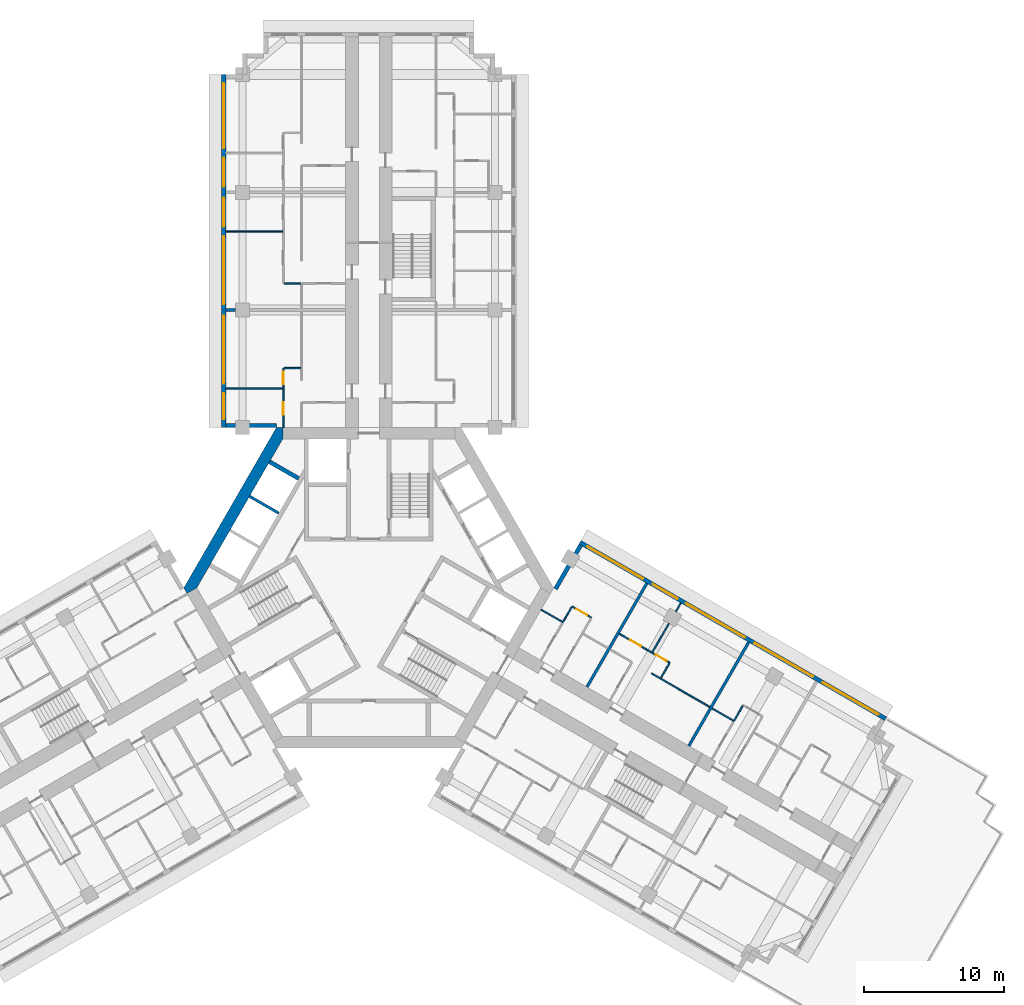
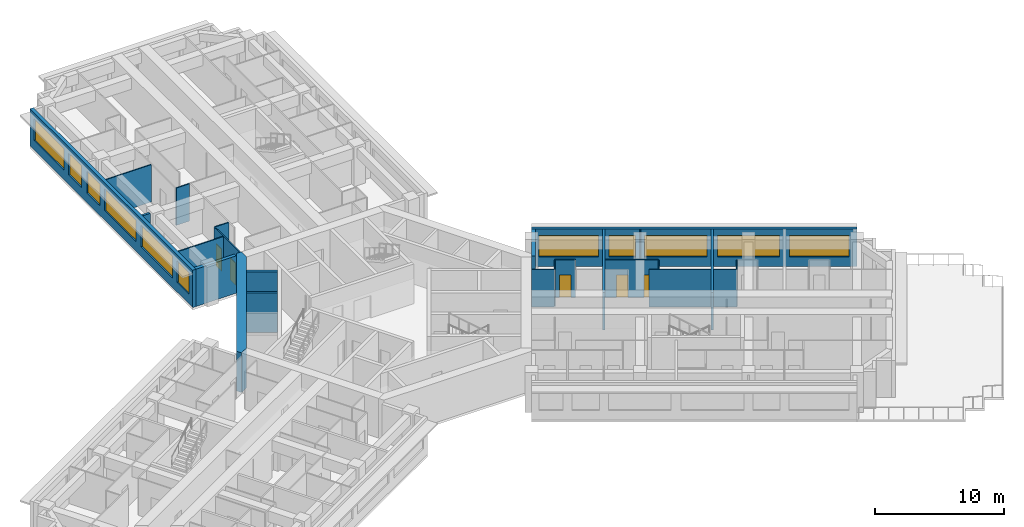
# One storey, part 8 of 14: 25 walls, 11 windows, 5 doors, 16 openings.
"""IFC4 building model written with IfcOpenShell, lengths in metres."""

import ifcopenshell
import ifcopenshell.guid

model = None  # the IFC model being written
_history = None  # IfcOwnerHistory: only IFC2X3 demands one
_inside = {}  # id of a spatial element -> (the spatial element, [elements in it])
_under = {}  # id of a project, library or spatial element -> (it, [spatial elements below it])
_declared = {}  # id of a project -> (the project, [libraries it declares])
_typed = {}  # id of a type object -> (the type object, [elements of that type])
_made_of = {}  # id of a material, layer set ... -> (it, [elements and type objects made of it])


def new_model(schema):
    """Start an empty IFC model of exactly this schema.

    Asked for "IFC4X3", IfcOpenShell would pick the latest addendum, in which some entities
    have other attributes; the version numbers below select the first issue.
    IFC2X3 requires an IfcOwnerHistory on every rooted entity: one is made here for all.
    """
    global model, _history
    if schema == "IFC4X3":
        model = ifcopenshell.file(schema_version=(4, 3, 0, 0))
    else:
        model = ifcopenshell.file(schema=schema)
    _inside.clear()
    _under.clear()
    _declared.clear()
    _typed.clear()
    _made_of.clear()
    _history = None
    if model.schema == "IFC2X3":
        org = make("IfcOrganization", Name="unknown")
        user = make(
            "IfcPersonAndOrganization",
            ThePerson=make("IfcPerson", FamilyName="unknown"),
            TheOrganization=org,
        )
        app = make(
            "IfcApplication",
            ApplicationDeveloper=org,
            Version="unknown",
            ApplicationFullName="unknown",
            ApplicationIdentifier="unknown",
        )
        _history = make(
            "IfcOwnerHistory",
            OwningUser=user,
            OwningApplication=app,
            ChangeAction="ADDED",
            CreationDate=0,
        )
    return model


def make(cls, **values):
    """One entity of the class cls with the attributes given. An attribute that is None is left unset."""
    return model.create_entity(
        cls, **{name: value for name, value in values.items() if value is not None}
    )


def rooted(cls, **values):
    """An entity with a GlobalId (a new one), such as an element, a storey or a relation."""
    return make(cls, GlobalId=ifcopenshell.guid.new(), OwnerHistory=_history, **values)


def si_unit(unit_type, name, prefix=None):
    """IfcSIUnit, for example si_unit("LENGTHUNIT", "METRE", prefix="MILLI")."""
    return make("IfcSIUnit", UnitType=unit_type, Prefix=prefix, Name=name)


def assignment(units):
    """IfcUnitAssignment: the units of a project."""
    return None if units is None else make("IfcUnitAssignment", Units=units)


def point(xyz):
    """IfcCartesianPoint."""
    return None if xyz is None else make("IfcCartesianPoint", Coordinates=xyz)


def direction(xyz):
    """IfcDirection."""
    return None if xyz is None else make("IfcDirection", DirectionRatios=xyz)


def frame(location, z_axis=None, x_axis=None):
    """IfcAxis2Placement3D, a coordinate frame: its origin and axes. An axis left out is left unset."""
    return make(
        "IfcAxis2Placement3D",
        Location=point(location),
        Axis=direction(z_axis),
        RefDirection=direction(x_axis),
    )


def frame_2d(location, x_axis=None):
    """IfcAxis2Placement2D, a coordinate frame in the plane: its origin and x axis."""
    return make(
        "IfcAxis2Placement2D", Location=point(location), RefDirection=direction(x_axis)
    )


def origin():
    """The frame at (0, 0, 0) with its axes left unset."""
    return frame((0.0, 0.0, 0.0))


def place(relative_to, where):
    """IfcLocalPlacement: puts the frame where relative to a parent placement (None: the world)."""
    return make(
        "IfcLocalPlacement", PlacementRelTo=relative_to, RelativePlacement=where
    )


def context(
    kind, dimensions, precision=None, world=None, true_north=None, identifier=None
):
    """IfcGeometricRepresentationContext, for example the 3D "Model" context."""
    return make(
        "IfcGeometricRepresentationContext",
        ContextIdentifier=identifier,
        ContextType=kind,
        CoordinateSpaceDimension=dimensions,
        Precision=precision,
        WorldCoordinateSystem=world,
        TrueNorth=true_north,
    )


def subcontext(parent, identifier, kind, view, scale=None):
    """IfcGeometricRepresentationSubContext, for example "Body" below "Model"."""
    return make(
        "IfcGeometricRepresentationSubContext",
        ContextIdentifier=identifier,
        ContextType=kind,
        ParentContext=parent,
        TargetScale=scale,
        TargetView=view,
    )


def project(units=None, contexts=None):
    """IfcProject with its units and contexts."""
    return rooted(
        "IfcProject",
        Name="project",
        RepresentationContexts=contexts,
        UnitsInContext=assignment(units),
    )


def spatial(cls, under=None, at=None, **own):
    """A site, building, storey or space (cls), placed at a placement, below another one or the project."""
    s = rooted(cls, ObjectPlacement=at, **own)
    if under is not None:
        _under.setdefault(under.id(), (under, []))[1].append(s)
    return s


def polyline(points):
    """IfcPolyline through the points."""
    return make("IfcPolyline", Points=[point(p) for p in points])


def profile(cls, at=None, kind="AREA", **sizes):
    """A parametric profile (cls). Its sizes go by their IFC names, for example OverallWidth=200.0."""
    return make(cls, ProfileType=kind, Position=at, **sizes)


def rectangle(**sizes):
    """IfcRectangleProfileDef."""
    return profile("IfcRectangleProfileDef", **sizes)


def outline(outer, holes=None, kind="AREA"):
    """IfcArbitraryClosedProfileDef: a profile drawn as a closed curve; with holes, ...WithVoids."""
    if holes is None:
        return make("IfcArbitraryClosedProfileDef", ProfileType=kind, OuterCurve=outer)
    return make(
        "IfcArbitraryProfileDefWithVoids",
        ProfileType=kind,
        OuterCurve=outer,
        InnerCurves=holes,
    )


def extrude(swept, where, along, depth):
    """IfcExtrudedAreaSolid: the profile swept, set in the frame where, extruded along a direction by depth."""
    return make(
        "IfcExtrudedAreaSolid",
        SweptArea=swept,
        Position=where,
        ExtrudedDirection=direction(along),
        Depth=depth,
    )


def shape(context_of_items, identifier, shape_type, items):
    """IfcShapeRepresentation: the items that make up one representation, for example the "Body"."""
    return make(
        "IfcShapeRepresentation",
        ContextOfItems=context_of_items,
        RepresentationIdentifier=identifier,
        RepresentationType=shape_type,
        Items=items,
    )


def material(Name=None, Category=None):
    """IfcMaterial."""
    return make("IfcMaterial", Name=Name, Category=Category)


def layer(
    of_material, thickness, ventilated=None, Name=None, Category=None, Priority=None
):
    """IfcMaterialLayer: one layer of a wall or slab, of a material (None: an air gap)."""
    return make(
        "IfcMaterialLayer",
        Material=of_material,
        LayerThickness=thickness,
        IsVentilated=ventilated,
        Name=Name,
        Category=Category,
        Priority=Priority,
    )


def layer_set(layers, Name=None):
    """IfcMaterialLayerSet."""
    return make("IfcMaterialLayerSet", MaterialLayers=layers, LayerSetName=Name)


def made_of(thing, what):
    """Note that an element or type object is made of a material, layer set ...; save() writes the relation."""
    if what is not None:
        _made_of.setdefault(what.id(), (what, []))[1].append(thing)
    return thing


def type_object(cls, material=None, **own):
    """A type object (cls), such as IfcWallType, which elements share."""
    return made_of(rooted(cls, **own), material)


def element(
    cls,
    number,
    at=None,
    inside=None,
    cuts=None,
    type_object=None,
    material=None,
    context=None,
    identifier="Body",
    shape_type=None,
    held_by="IfcProductDefinitionShape",
    body=None,
    shapes=None,
    **own,
):
    """One element of the class cls, such as IfcWall. Its Tag is "e" and its number.

    at: its placement. inside: the storey or other place that contains it. cuts: it is an
    opening in that element (IfcRelVoidsElement). A single representation is given by context,
    identifier, shape_type and body (its items); several are given by shapes. held_by: the class
    of the entity that holds the representations. save() writes the other relations.
    """
    e = rooted(cls, Tag="e%d" % number, ObjectPlacement=at, **own)
    if body is not None:
        shapes = [shape(context, identifier, shape_type, body)]
    if shapes is not None:
        e.Representation = make(held_by, Representations=shapes)
    if inside is not None:
        _inside.setdefault(inside.id(), (inside, []))[1].append(e)
    if cuts is not None:
        rooted(
            "IfcRelVoidsElement", RelatingBuildingElement=cuts, RelatedOpeningElement=e
        )
    if type_object is not None:
        _typed.setdefault(type_object.id(), (type_object, []))[1].append(e)
    return made_of(e, material)


def fill(opening, filler):
    """IfcRelFillsElement: the door or window that sits in an opening."""
    return rooted(
        "IfcRelFillsElement",
        RelatingOpeningElement=opening,
        RelatedBuildingElement=filler,
    )


def aggregate(whole, parts):
    """IfcRelAggregates: a whole, such as a stair, and the parts it consists of."""
    return rooted("IfcRelAggregates", RelatingObject=whole, RelatedObjects=parts)


def save(model, path):
    """Write the relations noted so far, then the file.

    IfcRelAggregates (storeys below a building ...), IfcRelContainedInSpatialStructure (elements
    in a storey), IfcRelDefinesByType, IfcRelAssociatesMaterial and IfcRelDeclares: one each for
    every whole, place, type object, material and project.
    """
    for whole, parts in _under.values():
        aggregate(whole, parts)
    for where, things in _inside.values():
        rooted(
            "IfcRelContainedInSpatialStructure",
            RelatedElements=things,
            RelatingStructure=where,
        )
    for kind, things in _typed.values():
        rooted("IfcRelDefinesByType", RelatedObjects=things, RelatingType=kind)
    for what, things in _made_of.values():
        rooted("IfcRelAssociatesMaterial", RelatedObjects=things, RelatingMaterial=what)
    for by, libraries in _declared.values():
        rooted("IfcRelDeclares", RelatingContext=by, RelatedDefinitions=libraries)
    model.write(path)


model = new_model("IFC4")

# Units and contexts
model_context = context("Model", 3, precision=1e-05, world=origin(), true_north=direction((0.0, 1.0)))
body_context = subcontext(model_context, "Body", "Model", "MODEL_VIEW")
ifc_project = project(units=[si_unit("LENGTHUNIT", "METRE"), si_unit("AREAUNIT", "SQUARE_METRE"), si_unit("VOLUMEUNIT", "CUBIC_METRE"), si_unit("PLANEANGLEUNIT", "RADIAN"), si_unit("MASSUNIT", "GRAM", prefix="KILO")], contexts=[model_context])

# Site, building, storey
site_placement = place(None, origin())
site = spatial("IfcSite", under=ifc_project, at=site_placement, CompositionType="ELEMENT")
building_placement = place(site_placement, origin())
building = spatial("IfcBuilding", under=site, at=building_placement, Name="Impinga Residences", CompositionType="ELEMENT")
storey_placement = place(building_placement, frame((0.0, 0.0, 158.5)))
storey = spatial("IfcBuildingStorey", under=building, at=storey_placement, Name="L39", CompositionType="ELEMENT", Elevation=158.5)

# Wall
ifc_material_1 = material(Name="Terracotta rainscreen on blockwork", Category="masonry")
ifc_layer_1 = layer(ifc_material_1, 0.300048828125)
ifc_layer_set_1 = layer_set([ifc_layer_1], Name="EW1 external wall, terracotta rainscreen on blockwork 300")
wall_type_1 = type_object("IfcWallType", Name="EW1 external wall, terracotta rainscreen on blockwork 300", PredefinedType="SOLIDWALL", material=ifc_layer_set_1)
wall_1_placement = place(storey_placement, frame((-6.60009765625, 11.58154296875, 0.0), z_axis=(0.0, 0.0, 1.0), x_axis=(-1.0, 0.0, 0.0)))
element("IfcWall", 1, at=wall_1_placement, inside=storey, type_object=wall_type_1, Name="External wall EW1 L39", PredefinedType="SOLIDWALL", context=body_context, shape_type="SweptSolid", body=[
    extrude(rectangle(XDim=3.599853515625, YDim=0.300048828125, at=frame_2d((1.7998046875, 0.0))), origin(), (0.0, 0.0, 1.0), 3.530029296875),
])

# Wall, openings, windows
wall_2_placement = place(storey_placement, frame((-10.35009765625, 11.431640625, 0.0), z_axis=(0.0, 0.0, 1.0), x_axis=(0.0, 1.0, 0.0)))
wall_2 = element("IfcWall", 2, at=wall_2_placement, inside=storey, type_object=wall_type_1, Name="External wall EW1 L39", PredefinedType="SOLIDWALL", context=body_context, shape_type="SweptSolid", body=[
    extrude(rectangle(XDim=25.199951171875, YDim=0.300048828125, at=frame_2d((12.60009765625, 0.0))), origin(), (0.0, 0.0, 1.0), 3.530029296875),
])
opening_1_placement = place(wall_2_placement, frame((0.60009765625, 0.0, 0.89990234375)))
opening_1 = element("IfcOpeningElement", 3, at=opening_1_placement, cuts=wall_2, Name="Opening W15", PredefinedType="OPENING", context=body_context, shape_type="SweptSolid", body=[
    extrude(rectangle(XDim=1.85009765625, YDim=2.050048828125, at=frame_2d((0.925048828125, 1.02490234375))), frame((0.0, 0.159912109375, 0.0), z_axis=(0.0, -1.0, 0.0), x_axis=(1.0, 0.0, 0.0)), (0.0, 0.0, 1.0), 0.320068359375),
])
opening_2_placement = place(wall_2_placement, frame((3.14990234375, 0.0, 0.89990234375)))
opening_2 = element("IfcOpeningElement", 4, at=opening_2_placement, cuts=wall_2, Name="Opening W6", PredefinedType="OPENING", context=body_context, shape_type="SweptSolid", body=[
    extrude(rectangle(XDim=4.85009765625, YDim=2.050048828125, at=frame_2d((2.425048828125, 1.02490234375))), frame((0.0, 0.159912109375, 0.0), z_axis=(0.0, -1.0, 0.0), x_axis=(1.0, 0.0, 0.0)), (0.0, 0.0, 1.0), 0.320068359375),
])
opening_3_placement = place(wall_2_placement, frame((8.800048828125, 0.0, 0.89990234375)))
opening_3 = element("IfcOpeningElement", 5, at=opening_3_placement, cuts=wall_2, Name="Opening W6", PredefinedType="OPENING", context=body_context, shape_type="SweptSolid", body=[
    extrude(rectangle(XDim=4.85009765625, YDim=2.050048828125, at=frame_2d((2.425048828125, 1.02490234375))), frame((0.0, 0.159912109375, 0.0), z_axis=(0.0, -1.0, 0.0), x_axis=(1.0, 0.0, 0.0)), (0.0, 0.0, 1.0), 0.320068359375),
])
opening_4_placement = place(wall_2_placement, frame((14.35009765625, 0.0, 0.89990234375)))
opening_4 = element("IfcOpeningElement", 6, at=opening_4_placement, cuts=wall_2, Name="Opening W14", PredefinedType="OPENING", context=body_context, shape_type="SweptSolid", body=[
    extrude(rectangle(XDim=2.050048828125, YDim=2.050048828125, at=frame_2d((1.02490234375, 1.02490234375))), frame((0.0, 0.159912109375, 0.0), z_axis=(0.0, -1.0, 0.0), x_axis=(1.0, 0.0, 0.0)), (0.0, 0.0, 1.0), 0.320068359375),
])
opening_5_placement = place(wall_2_placement, frame((17.199951171875, 0.0, 0.89990234375)))
opening_5 = element("IfcOpeningElement", 7, at=opening_5_placement, cuts=wall_2, Name="Opening W14", PredefinedType="OPENING", context=body_context, shape_type="SweptSolid", body=[
    extrude(rectangle(XDim=2.050048828125, YDim=2.050048828125, at=frame_2d((1.02490234375, 1.02490234375))), frame((0.0, 0.159912109375, 0.0), z_axis=(0.0, -1.0, 0.0), x_axis=(1.0, 0.0, 0.0)), (0.0, 0.0, 1.0), 0.320068359375),
])
opening_6_placement = place(wall_2_placement, frame((19.949951171875, 0.0, 0.89990234375)))
opening_6 = element("IfcOpeningElement", 8, at=opening_6_placement, cuts=wall_2, Name="Opening W10", PredefinedType="OPENING", context=body_context, shape_type="SweptSolid", body=[
    extrude(rectangle(XDim=4.64990234375, YDim=2.050048828125, at=frame_2d((2.324951171875, 1.02490234375))), frame((0.0, 0.159912109375, 0.0), z_axis=(0.0, -1.0, 0.0), x_axis=(1.0, 0.0, 0.0)), (0.0, 0.0, 1.0), 0.320068359375),
])
ifc_material_2 = material(Name="Aluminium window, clear double glazing", Category="aluminium")
window_type_1 = type_object("IfcWindowType", Name="W10 ribbon window 4650x2050", PartitioningType="SINGLE_PANEL", PredefinedType="WINDOW", material=ifc_material_2)
window_1_placement = place(opening_6_placement, origin())
window_1 = element("IfcWindow", 9, at=window_1_placement, inside=storey, type_object=window_type_1, Name="Window L39", OverallHeight=2.050048828125, OverallWidth=4.64990234375, PartitioningType="SINGLE_PANEL", PredefinedType="WINDOW", context=body_context, shape_type="SweptSolid", body=[
    extrude(rectangle(XDim=4.64990234375, YDim=2.050048828125, at=frame_2d((2.324951171875, 1.02490234375))), frame((0.0, 0.030029296875, 0.0), z_axis=(0.0, -1.0, 0.0), x_axis=(1.0, 0.0, 0.0)), (0.0, 0.0, 1.0), 0.06005859375),
])
fill(opening_6, window_1)
window_type_2 = type_object("IfcWindowType", Name="W14 ribbon window 2050x2050", PartitioningType="SINGLE_PANEL", PredefinedType="WINDOW", material=ifc_material_2)
window_2_placement = place(opening_4_placement, origin())
window_2 = element("IfcWindow", 10, at=window_2_placement, inside=storey, type_object=window_type_2, Name="Window L39", OverallHeight=2.050048828125, OverallWidth=2.050048828125, PartitioningType="SINGLE_PANEL", PredefinedType="WINDOW", context=body_context, shape_type="SweptSolid", body=[
    extrude(rectangle(XDim=2.050048828125, YDim=2.050048828125, at=frame_2d((1.02490234375, 1.02490234375))), frame((0.0, 0.030029296875, 0.0), z_axis=(0.0, -1.0, 0.0), x_axis=(1.0, 0.0, 0.0)), (0.0, 0.0, 1.0), 0.06005859375),
])
fill(opening_4, window_2)
window_3_placement = place(opening_5_placement, origin())
window_3 = element("IfcWindow", 11, at=window_3_placement, inside=storey, type_object=window_type_2, Name="Window L39", OverallHeight=2.050048828125, OverallWidth=2.050048828125, PartitioningType="SINGLE_PANEL", PredefinedType="WINDOW", context=body_context, shape_type="SweptSolid", body=[
    extrude(rectangle(XDim=2.050048828125, YDim=2.050048828125, at=frame_2d((1.02490234375, 1.02490234375))), frame((0.0, 0.030029296875, 0.0), z_axis=(0.0, -1.0, 0.0), x_axis=(1.0, 0.0, 0.0)), (0.0, 0.0, 1.0), 0.06005859375),
])
fill(opening_5, window_3)
window_type_3 = type_object("IfcWindowType", Name="W15 ribbon window 1850x2050", PartitioningType="SINGLE_PANEL", PredefinedType="WINDOW", material=ifc_material_2)
window_4_placement = place(opening_1_placement, origin())
window_4 = element("IfcWindow", 12, at=window_4_placement, inside=storey, type_object=window_type_3, Name="Window L39", OverallHeight=2.050048828125, OverallWidth=1.85009765625, PartitioningType="SINGLE_PANEL", PredefinedType="WINDOW", context=body_context, shape_type="SweptSolid", body=[
    extrude(rectangle(XDim=1.85009765625, YDim=2.050048828125, at=frame_2d((0.925048828125, 1.02490234375))), frame((0.0, 0.030029296875, 0.0), z_axis=(0.0, -1.0, 0.0), x_axis=(1.0, 0.0, 0.0)), (0.0, 0.0, 1.0), 0.06005859375),
])
fill(opening_1, window_4)
window_type_4 = type_object("IfcWindowType", Name="W6 ribbon window 4850x2050", PartitioningType="SINGLE_PANEL", PredefinedType="WINDOW", material=ifc_material_2)
window_5_placement = place(opening_2_placement, origin())
window_5 = element("IfcWindow", 13, at=window_5_placement, inside=storey, type_object=window_type_4, Name="Window L39", OverallHeight=2.050048828125, OverallWidth=4.85009765625, PartitioningType="SINGLE_PANEL", PredefinedType="WINDOW", context=body_context, shape_type="SweptSolid", body=[
    extrude(rectangle(XDim=4.85009765625, YDim=2.050048828125, at=frame_2d((2.425048828125, 1.02490234375))), frame((0.0, 0.030029296875, 0.0), z_axis=(0.0, -1.0, 0.0), x_axis=(1.0, 0.0, 0.0)), (0.0, 0.0, 1.0), 0.06005859375),
])
fill(opening_2, window_5)
window_6_placement = place(opening_3_placement, origin())
window_6 = element("IfcWindow", 14, at=window_6_placement, inside=storey, type_object=window_type_4, Name="Window L39", OverallHeight=2.050048828125, OverallWidth=4.85009765625, PartitioningType="SINGLE_PANEL", PredefinedType="WINDOW", context=body_context, shape_type="SweptSolid", body=[
    extrude(rectangle(XDim=4.85009765625, YDim=2.050048828125, at=frame_2d((2.425048828125, 1.02490234375))), frame((0.0, 0.030029296875, 0.0), z_axis=(0.0, -1.0, 0.0), x_axis=(1.0, 0.0, 0.0)), (0.0, 0.0, 1.0), 0.06005859375),
])
fill(opening_3, window_6)

# Wall
wall_3_placement = place(storey_placement, frame((13.329833984375, -0.074951171875, 0.0), z_axis=(0.0, 0.0, 1.0), x_axis=(0.500012057535, 0.866018442252, 0.0)))
element("IfcWall", 15, at=wall_3_placement, inside=storey, type_object=wall_type_1, Name="External wall EW1 L39", PredefinedType="SOLIDWALL", context=body_context, shape_type="SweptSolid", body=[
    extrude(rectangle(XDim=3.60009765625, YDim=0.300048828125, at=frame_2d((1.800048828125, 0.0))), origin(), (0.0, 0.0, 1.0), 3.530029296875),
])

# Wall, openings, windows
wall_4_placement = place(storey_placement, frame((15.074951171875, 3.24755859375, 0.0), z_axis=(0.0, 0.0, 1.0), x_axis=(0.86602925447, -0.499993330357, 0.0)))
wall_4 = element("IfcWall", 16, at=wall_4_placement, inside=storey, type_object=wall_type_1, Name="External wall EW1 L39", PredefinedType="SOLIDWALL", context=body_context, shape_type="SweptSolid", body=[
    extrude(rectangle(XDim=25.199951171875, YDim=0.300048828125, at=frame_2d((12.60009765625, 0.0))), origin(), (0.0, 0.0, 1.0), 3.530029296875),
])
opening_7_placement = place(wall_4_placement, frame((0.60009765625, 0.0, 0.89990234375)))
opening_7 = element("IfcOpeningElement", 17, at=opening_7_placement, cuts=wall_4, Name="Opening W3", PredefinedType="OPENING", context=body_context, shape_type="SweptSolid", body=[
    extrude(rectangle(XDim=4.60009765625, YDim=2.050048828125, at=frame_2d((2.300048828125, 1.02490234375))), frame((0.0, 0.159912109375, 0.0), z_axis=(0.0, -1.0, 0.0), x_axis=(1.0, 0.0, 0.0)), (0.0, 0.0, 1.0), 0.320068359375),
])
opening_8_placement = place(wall_4_placement, frame((6.0, 0.0, 0.89990234375)))
opening_8 = element("IfcOpeningElement", 18, at=opening_8_placement, cuts=wall_4, Name="Opening W14", PredefinedType="OPENING", context=body_context, shape_type="SweptSolid", body=[
    extrude(rectangle(XDim=2.050048828125, YDim=2.050048828125, at=frame_2d((1.02490234375, 1.02490234375))), frame((0.0, 0.159912109375, 0.0), z_axis=(0.0, -1.0, 0.0), x_axis=(1.0, 0.0, 0.0)), (0.0, 0.0, 1.0), 0.320068359375),
])
opening_9_placement = place(wall_4_placement, frame((8.75, 0.0, 0.89990234375)))
opening_9 = element("IfcOpeningElement", 19, at=opening_9_placement, cuts=wall_4, Name="Opening W6", PredefinedType="OPENING", context=body_context, shape_type="SweptSolid", body=[
    extrude(rectangle(XDim=4.85009765625, YDim=2.050048828125, at=frame_2d((2.425048828125, 1.02490234375))), frame((0.0, 0.159912109375, 0.0), z_axis=(0.0, -1.0, 0.0), x_axis=(1.0, 0.0, 0.0)), (0.0, 0.0, 1.0), 0.320068359375),
])
opening_10_placement = place(wall_4_placement, frame((14.39990234375, 0.0, 0.89990234375)))
opening_10 = element("IfcOpeningElement", 20, at=opening_10_placement, cuts=wall_4, Name="Opening W8", PredefinedType="OPENING", context=body_context, shape_type="SweptSolid", body=[
    extrude(rectangle(XDim=4.800048828125, YDim=2.050048828125, at=frame_2d((2.39990234375, 1.02490234375))), frame((0.0, 0.159912109375, 0.0), z_axis=(0.0, -1.0, 0.0), x_axis=(1.0, 0.0, 0.0)), (0.0, 0.0, 1.0), 0.320068359375),
])
opening_11_placement = place(wall_4_placement, frame((20.0, 0.0, 0.89990234375)))
opening_11 = element("IfcOpeningElement", 21, at=opening_11_placement, cuts=wall_4, Name="Opening W3", PredefinedType="OPENING", context=body_context, shape_type="SweptSolid", body=[
    extrude(rectangle(XDim=4.60009765625, YDim=2.050048828125, at=frame_2d((2.300048828125, 1.02490234375))), frame((0.0, 0.159912109375, 0.0), z_axis=(0.0, -1.0, 0.0), x_axis=(1.0, 0.0, 0.0)), (0.0, 0.0, 1.0), 0.320068359375),
])
window_7_placement = place(opening_8_placement, origin())
window_7 = element("IfcWindow", 22, at=window_7_placement, inside=storey, type_object=window_type_2, Name="Window L39", OverallHeight=2.050048828125, OverallWidth=2.050048828125, PartitioningType="SINGLE_PANEL", PredefinedType="WINDOW", context=body_context, shape_type="SweptSolid", body=[
    extrude(rectangle(XDim=2.050048828125, YDim=2.050048828125, at=frame_2d((1.02490234375, 1.02490234375))), frame((0.0, 0.030029296875, 0.0), z_axis=(0.0, -1.0, 0.0), x_axis=(1.0, 0.0, 0.0)), (0.0, 0.0, 1.0), 0.06005859375),
])
fill(opening_8, window_7)
window_type_5 = type_object("IfcWindowType", Name="W3 ribbon window 4600x2050", PartitioningType="SINGLE_PANEL", PredefinedType="WINDOW", material=ifc_material_2)
window_8_placement = place(opening_7_placement, origin())
window_8 = element("IfcWindow", 23, at=window_8_placement, inside=storey, type_object=window_type_5, Name="Window L39", OverallHeight=2.050048828125, OverallWidth=4.60009765625, PartitioningType="SINGLE_PANEL", PredefinedType="WINDOW", context=body_context, shape_type="SweptSolid", body=[
    extrude(rectangle(XDim=4.60009765625, YDim=2.050048828125, at=frame_2d((2.300048828125, 1.02490234375))), frame((0.0, 0.030029296875, 0.0), z_axis=(0.0, -1.0, 0.0), x_axis=(1.0, 0.0, 0.0)), (0.0, 0.0, 1.0), 0.06005859375),
])
fill(opening_7, window_8)
window_9_placement = place(opening_11_placement, origin())
window_9 = element("IfcWindow", 24, at=window_9_placement, inside=storey, type_object=window_type_5, Name="Window L39", OverallHeight=2.050048828125, OverallWidth=4.60009765625, PartitioningType="SINGLE_PANEL", PredefinedType="WINDOW", context=body_context, shape_type="SweptSolid", body=[
    extrude(rectangle(XDim=4.60009765625, YDim=2.050048828125, at=frame_2d((2.300048828125, 1.02490234375))), frame((0.0, 0.030029296875, 0.0), z_axis=(0.0, -1.0, 0.0), x_axis=(1.0, 0.0, 0.0)), (0.0, 0.0, 1.0), 0.06005859375),
])
fill(opening_11, window_9)
window_10_placement = place(opening_9_placement, origin())
window_10 = element("IfcWindow", 25, at=window_10_placement, inside=storey, type_object=window_type_4, Name="Window L39", OverallHeight=2.050048828125, OverallWidth=4.85009765625, PartitioningType="SINGLE_PANEL", PredefinedType="WINDOW", context=body_context, shape_type="SweptSolid", body=[
    extrude(rectangle(XDim=4.85009765625, YDim=2.050048828125, at=frame_2d((2.425048828125, 1.02490234375))), frame((0.0, 0.030029296875, 0.0), z_axis=(0.0, -1.0, 0.0), x_axis=(1.0, 0.0, 0.0)), (0.0, 0.0, 1.0), 0.06005859375),
])
fill(opening_9, window_10)
window_type_6 = type_object("IfcWindowType", Name="W8 ribbon window 4800x2050", PartitioningType="SINGLE_PANEL", PredefinedType="WINDOW", material=ifc_material_2)
window_11_placement = place(opening_10_placement, origin())
window_11 = element("IfcWindow", 26, at=window_11_placement, inside=storey, type_object=window_type_6, Name="Window L39", OverallHeight=2.050048828125, OverallWidth=4.800048828125, PartitioningType="SINGLE_PANEL", PredefinedType="WINDOW", context=body_context, shape_type="SweptSolid", body=[
    extrude(rectangle(XDim=4.800048828125, YDim=2.050048828125, at=frame_2d((2.39990234375, 1.02490234375))), frame((0.0, 0.030029296875, 0.0), z_axis=(0.0, -1.0, 0.0), x_axis=(1.0, 0.0, 0.0)), (0.0, 0.0, 1.0), 0.06005859375),
])
fill(opening_10, window_11)

# Wall, openings, doors
ifc_material_3 = material(Name="Gypsum board on steel studs", Category="steel")
ifc_layer_2 = layer(ifc_material_3, 0.10009765625)
ifc_layer_set_2 = layer_set([ifc_layer_2], Name="Gypsum board on steel studs")
wall_type_2 = type_object("IfcWallType", Name="IP1 partition 100", PredefinedType="PARTITIONING", material=ifc_layer_set_2)
wall_5_placement = place(storey_placement, frame((-6.10009765625, 11.431640625, 0.0), z_axis=(0.0, 0.0, 1.0), x_axis=(0.0, 1.0, 0.0)))
wall_5 = element("IfcWall", 27, at=wall_5_placement, inside=storey, type_object=wall_type_2, Name="Partition L39-NA1:STRIP", PredefinedType="PARTITIONING", context=body_context, shape_type="SweptSolid", body=[
    extrude(rectangle(XDim=4.25, YDim=0.10009765625, at=frame_2d((2.125, 0.0))), origin(), (0.0, 0.0, 1.0), 3.530029296875),
])
opening_12_placement = place(wall_5_placement, frame((0.925048828125, 0.0, 0.0)))
opening_12 = element("IfcOpeningElement", 28, at=opening_12_placement, cuts=wall_5, Name="Opening D2", PredefinedType="OPENING", context=body_context, shape_type="SweptSolid", body=[
    extrude(rectangle(XDim=0.89990234375, YDim=2.10009765625, at=frame_2d((0.449951171875, 1.050048828125))), frame((0.0, 0.06005859375, 0.0), z_axis=(0.0, -1.0, 0.0), x_axis=(1.0, 0.0, 0.0)), (0.0, 0.0, 1.0), 0.1201171875),
])
opening_13_placement = place(wall_5_placement, frame((3.10009765625, 0.0, 0.0)))
opening_13 = element("IfcOpeningElement", 29, at=opening_13_placement, cuts=wall_5, Name="Opening D2", PredefinedType="OPENING", context=body_context, shape_type="SweptSolid", body=[
    extrude(rectangle(XDim=0.89990234375, YDim=2.10009765625, at=frame_2d((0.449951171875, 1.050048828125))), frame((0.0, 0.06005859375, 0.0), z_axis=(0.0, -1.0, 0.0), x_axis=(1.0, 0.0, 0.0)), (0.0, 0.0, 1.0), 0.1201171875),
])
ifc_material_4 = material(Name="Timber door set", Category="wood")
door_type = type_object("IfcDoorType", Name="D2 internal door 900x2100", OperationType="SINGLE_SWING_LEFT", PredefinedType="DOOR", material=ifc_material_4)
door_1_placement = place(opening_12_placement, origin())
door_1 = element("IfcDoor", 30, at=door_1_placement, inside=storey, type_object=door_type, Name="Apartment L39-NA1 room door", OperationType="SINGLE_SWING_LEFT", OverallHeight=2.10009765625, OverallWidth=0.89990234375, PredefinedType="DOOR", context=body_context, shape_type="SweptSolid", body=[
    extrude(rectangle(XDim=0.89990234375, YDim=2.10009765625, at=frame_2d((0.449951171875, 1.050048828125))), frame((0.0, 0.02490234375, 0.0), z_axis=(0.0, -1.0, 0.0), x_axis=(1.0, 0.0, 0.0)), (0.0, 0.0, 1.0), 0.050048828125),
])
fill(opening_12, door_1)
door_2_placement = place(opening_13_placement, origin())
door_2 = element("IfcDoor", 31, at=door_2_placement, inside=storey, type_object=door_type, Name="Apartment L39-NA1 room door", OperationType="SINGLE_SWING_RIGHT", OverallHeight=2.10009765625, OverallWidth=0.89990234375, PredefinedType="DOOR", context=body_context, shape_type="SweptSolid", body=[
    extrude(rectangle(XDim=0.89990234375, YDim=2.10009765625, at=frame_2d((0.449951171875, 1.050048828125))), frame((0.0, 0.02490234375, 0.0), z_axis=(0.0, -1.0, 0.0), x_axis=(1.0, 0.0, 0.0)), (0.0, 0.0, 1.0), 0.050048828125),
])
fill(opening_13, door_2)

# Walls
wall_6_placement = place(storey_placement, frame((-4.85009765625, 15.681640625, 0.0), z_axis=(0.0, 0.0, 1.0), x_axis=(-1.0, 0.0, 0.0)))
element("IfcWall", 32, at=wall_6_placement, inside=storey, type_object=wall_type_2, Name="Partition L39-NA1:SE1", PredefinedType="PARTITIONING", context=body_context, shape_type="SweptSolid", body=[
    extrude(rectangle(XDim=1.199951171875, YDim=0.10009765625, at=frame_2d((0.60009765625, 0.0))), origin(), (0.0, 0.0, 1.0), 3.530029296875),
])
wall_7_placement = place(storey_placement, frame((-6.14990234375, 14.2314453125, 0.0), z_axis=(0.0, 0.0, 1.0), x_axis=(-1.0, 0.0, 0.0)))
element("IfcWall", 33, at=wall_7_placement, inside=storey, type_object=wall_type_2, Name="Partition L39-NA1:OB1", PredefinedType="PARTITIONING", context=body_context, shape_type="SweptSolid", body=[
    extrude(rectangle(XDim=4.050048828125, YDim=0.10009765625, at=frame_2d((2.02490234375, 0.0))), origin(), (0.0, 0.0, 1.0), 3.530029296875),
])
wall_8_placement = place(storey_placement, frame((-4.85009765625, 21.7314453125, 0.0), z_axis=(0.0, 0.0, 1.0), x_axis=(-1.0, 0.0, 0.0)))
element("IfcWall", 34, at=wall_8_placement, inside=storey, type_object=wall_type_2, Name="Partition L39-NA2:SE0", PredefinedType="PARTITIONING", context=body_context, shape_type="SweptSolid", body=[
    extrude(rectangle(XDim=1.199951171875, YDim=0.10009765625, at=frame_2d((0.60009765625, 0.0))), origin(), (0.0, 0.0, 1.0), 3.530029296875),
])
wall_9_placement = place(storey_placement, frame((-6.14990234375, 25.431640625, 0.0), z_axis=(0.0, 0.0, 1.0), x_axis=(-1.0, 0.0, 0.0)))
element("IfcWall", 35, at=wall_9_placement, inside=storey, type_object=wall_type_2, Name="Partition L39-NA2:OB1", PredefinedType="PARTITIONING", context=body_context, shape_type="SweptSolid", body=[
    extrude(rectangle(XDim=4.050048828125, YDim=0.10009765625, at=frame_2d((2.02490234375, 0.0))), origin(), (0.0, 0.0, 1.0), 3.530029296875),
])
wall_10_placement = place(storey_placement, frame((12.300048828125, -1.558837890625, 0.0), z_axis=(0.0, 0.0, 1.0), x_axis=(0.866047807691, -0.499961193289, 0.0)))
element("IfcWall", 36, at=wall_10_placement, inside=storey, type_object=wall_type_2, Name="Partition L39-EA1:DIV0", PredefinedType="PARTITIONING", context=body_context, shape_type="SweptSolid", body=[
    extrude(rectangle(XDim=1.800048828125, YDim=0.10009765625, at=frame_2d((0.89990234375, 0.0))), origin(), (0.0, 0.0, 1.0), 3.530029296875),
])

# Wall, opening, door
wall_11_placement = place(storey_placement, frame((14.5087890625, -1.3330078125, 0.0), z_axis=(0.0, 0.0, 1.0), x_axis=(0.866028054938, -0.499995408039, 0.0)))
wall_11 = element("IfcWall", 37, at=wall_11_placement, inside=storey, type_object=wall_type_2, Name="Partition L39-EA1:STRIP", PredefinedType="PARTITIONING", context=body_context, shape_type="SweptSolid", body=[
    extrude(rectangle(XDim=1.60009765625, YDim=0.10009765625, at=frame_2d((0.800048828125, 0.0))), origin(), (0.0, 0.0, 1.0), 3.530029296875),
])
opening_14_placement = place(wall_11_placement, frame((0.35009765625, 0.0, 0.0)))
opening_14 = element("IfcOpeningElement", 38, at=opening_14_placement, cuts=wall_11, Name="Opening D2", PredefinedType="OPENING", context=body_context, shape_type="SweptSolid", body=[
    extrude(rectangle(XDim=0.89990234375, YDim=2.10009765625, at=frame_2d((0.449951171875, 1.050048828125))), frame((0.0, 0.06005859375, 0.0), z_axis=(0.0, -1.0, 0.0), x_axis=(1.0, 0.0, 0.0)), (0.0, 0.0, 1.0), 0.1201171875),
])
door_3_placement = place(opening_14_placement, origin())
door_3 = element("IfcDoor", 39, at=door_3_placement, inside=storey, type_object=door_type, Name="Apartment L39-EA1 room door", OperationType="SINGLE_SWING_LEFT", OverallHeight=2.10009765625, OverallWidth=0.89990234375, PredefinedType="DOOR", context=body_context, shape_type="SweptSolid", body=[
    extrude(rectangle(XDim=0.89990234375, YDim=2.10009765625, at=frame_2d((0.449951171875, 1.050048828125))), frame((0.0, 0.02490234375, 0.0), z_axis=(0.0, -1.0, 0.0), x_axis=(1.0, 0.0, 0.0)), (0.0, 0.0, 1.0), 0.050048828125),
])
fill(opening_14, door_3)

# Walls
wall_12_placement = place(storey_placement, frame((13.8837890625, -2.41552734375, 0.0), z_axis=(0.0, 0.0, 1.0), x_axis=(0.500033551112, 0.866006032174, 0.0)))
element("IfcWall", 40, at=wall_12_placement, inside=storey, type_object=wall_type_2, Name="Partition L39-EA1:SE0", PredefinedType="PARTITIONING", context=body_context, shape_type="SweptSolid", body=[
    extrude(rectangle(XDim=1.2001953125, YDim=0.10009765625, at=frame_2d((0.60009765625, 0.0))), origin(), (0.0, 0.0, 1.0), 3.530029296875),
])
wall_13_placement = place(storey_placement, frame((20.180908203125, -6.10888671875, 0.0), z_axis=(0.0, 0.0, 1.0), x_axis=(0.866024647952, -0.500001309137, 0.0)))
element("IfcWall", 41, at=wall_13_placement, inside=storey, type_object=wall_type_2, Name="Partition L39-EA2:DIV1", PredefinedType="PARTITIONING", context=body_context, shape_type="SweptSolid", body=[
    extrude(rectangle(XDim=4.7998046875, YDim=0.10009765625, at=frame_2d((2.39990234375, 0.0))), origin(), (0.0, 0.0, 1.0), 3.530029296875),
])

# Wall, openings, doors
wall_14_placement = place(storey_placement, frame((17.88623046875, -3.282958984375, 0.0), z_axis=(0.0, 0.0, 1.0), x_axis=(0.866044524524, -0.499966880446, 0.0)))
wall_14 = element("IfcWall", 42, at=wall_14_placement, inside=storey, type_object=wall_type_2, Name="Partition L39-EA2:STRIP", PredefinedType="PARTITIONING", context=body_context, shape_type="SweptSolid", body=[
    extrude(rectangle(XDim=4.150146484375, YDim=0.10009765625, at=frame_2d((2.0751953125, 0.0))), origin(), (0.0, 0.0, 1.0), 3.530029296875),
])
opening_15_placement = place(wall_14_placement, frame((0.875, 0.0, 0.0)))
opening_15 = element("IfcOpeningElement", 43, at=opening_15_placement, cuts=wall_14, Name="Opening D2", PredefinedType="OPENING", context=body_context, shape_type="SweptSolid", body=[
    extrude(rectangle(XDim=0.89990234375, YDim=2.10009765625, at=frame_2d((0.449951171875, 1.050048828125))), frame((0.0, 0.06005859375, 0.0), z_axis=(0.0, -1.0, 0.0), x_axis=(1.0, 0.0, 0.0)), (0.0, 0.0, 1.0), 0.1201171875),
])
opening_16_placement = place(wall_14_placement, frame((3.0, 0.0, 0.0)))
opening_16 = element("IfcOpeningElement", 44, at=opening_16_placement, cuts=wall_14, Name="Opening D2", PredefinedType="OPENING", context=body_context, shape_type="SweptSolid", body=[
    extrude(rectangle(XDim=0.89990234375, YDim=2.10009765625, at=frame_2d((0.449951171875, 1.050048828125))), frame((0.0, 0.06005859375, 0.0), z_axis=(0.0, -1.0, 0.0), x_axis=(1.0, 0.0, 0.0)), (0.0, 0.0, 1.0), 0.1201171875),
])
door_4_placement = place(opening_15_placement, origin())
door_4 = element("IfcDoor", 45, at=door_4_placement, inside=storey, type_object=door_type, Name="Apartment L39-EA2 room door", OperationType="SINGLE_SWING_LEFT", OverallHeight=2.10009765625, OverallWidth=0.89990234375, PredefinedType="DOOR", context=body_context, shape_type="SweptSolid", body=[
    extrude(rectangle(XDim=0.89990234375, YDim=2.10009765625, at=frame_2d((0.449951171875, 1.050048828125))), frame((0.0, 0.02490234375, 0.0), z_axis=(0.0, -1.0, 0.0), x_axis=(1.0, 0.0, 0.0)), (0.0, 0.0, 1.0), 0.050048828125),
])
fill(opening_15, door_4)
door_5_placement = place(opening_16_placement, origin())
door_5 = element("IfcDoor", 46, at=door_5_placement, inside=storey, type_object=door_type, Name="Apartment L39-EA2 room door", OperationType="SINGLE_SWING_RIGHT", OverallHeight=2.10009765625, OverallWidth=0.89990234375, PredefinedType="DOOR", context=body_context, shape_type="SweptSolid", body=[
    extrude(rectangle(XDim=0.89990234375, YDim=2.10009765625, at=frame_2d((0.449951171875, 1.050048828125))), frame((0.0, 0.02490234375, 0.0), z_axis=(0.0, -1.0, 0.0), x_axis=(1.0, 0.0, 0.0)), (0.0, 0.0, 1.0), 0.050048828125),
])
fill(opening_16, door_5)

# Walls
wall_15_placement = place(storey_placement, frame((20.85546875, -6.4404296875, 0.0), z_axis=(0.0, 0.0, 1.0), x_axis=(0.499969057507, 0.866043267704, 0.0)))
element("IfcWall", 47, at=wall_15_placement, inside=storey, type_object=wall_type_2, Name="Partition L39-EA2:SE1", PredefinedType="PARTITIONING", context=body_context, shape_type="SweptSolid", body=[
    extrude(rectangle(XDim=1.19970703125, YDim=0.10009765625, at=frame_2d((0.599853515625, 0.0))), origin(), (0.0, 0.0, 1.0), 3.530029296875),
])
wall_16_placement = place(storey_placement, frame((20.24951171875, -4.589599609375, 0.0), z_axis=(0.0, 0.0, 1.0), x_axis=(0.500016218704, 0.866016039709, 0.0)))
element("IfcWall", 48, at=wall_16_placement, inside=storey, type_object=wall_type_2, Name="Partition L39-EA2:OB1", PredefinedType="PARTITIONING", context=body_context, shape_type="SweptSolid", body=[
    extrude(rectangle(XDim=2.35009765625, YDim=0.10009765625, at=frame_2d((1.175048828125, 0.0))), origin(), (0.0, 0.0, 1.0), 2.47998046875),
])
wall_17_placement = place(storey_placement, frame((21.924560546875, -1.6884765625, 0.0), z_axis=(0.0, 0.0, 1.0), x_axis=(0.500114896893, 0.865959057869, 0.0)))
element("IfcWall", 49, at=wall_17_placement, inside=storey, type_object=wall_type_2, Name="Partition L39-EA2:OB1b", PredefinedType="PARTITIONING", context=body_context, shape_type="SweptSolid", body=[
    extrude(rectangle(XDim=0.699951171875, YDim=0.10009765625, at=frame_2d((0.35009765625, 0.0))), origin(), (0.0, 0.0, 1.0), 3.530029296875),
])
wall_18_placement = place(storey_placement, frame((24.510986328125, -8.60888671875, 0.0), z_axis=(0.0, 0.0, 1.0), x_axis=(0.866047807691, -0.499961193289, 0.0)))
element("IfcWall", 50, at=wall_18_placement, inside=storey, type_object=wall_type_2, Name="Partition L39-EA3:DIV0", PredefinedType="PARTITIONING", context=body_context, shape_type="SweptSolid", body=[
    extrude(rectangle(XDim=1.800048828125, YDim=0.10009765625, at=frame_2d((0.89990234375, 0.0))), origin(), (0.0, 0.0, 1.0), 3.530029296875),
])
wall_19_placement = place(storey_placement, frame((26.0947265625, -9.465576171875, 0.0), z_axis=(0.0, 0.0, 1.0), x_axis=(0.500033551112, 0.866006032174, 0.0)))
element("IfcWall", 51, at=wall_19_placement, inside=storey, type_object=wall_type_2, Name="Partition L39-EA3:SE0", PredefinedType="PARTITIONING", context=body_context, shape_type="SweptSolid", body=[
    extrude(rectangle(XDim=1.2001953125, YDim=0.10009765625, at=frame_2d((0.60009765625, 0.0))), origin(), (0.0, 0.0, 1.0), 3.530029296875),
])
ifc_material_5 = material(Name="Concrete blockwork", Category="masonry")
ifc_layer_3 = layer(ifc_material_5, 0.199951171875)
ifc_layer_set_3 = layer_set([ifc_layer_3], Name="PW1 party wall between apartments 200")
wall_type_3 = type_object("IfcWallType", Name="PW1 party wall between apartments 200", PredefinedType="SOLIDWALL", material=ifc_layer_set_3)
wall_20_placement = place(storey_placement, frame((-9.5, 19.83154296875, 0.0), z_axis=(0.0, 0.0, 1.0), x_axis=(-1.0, 0.0, 0.0)))
element("IfcWall", 52, at=wall_20_placement, inside=storey, type_object=wall_type_3, Name="Party wall between apartments L39-NA1:PARTYb", PredefinedType="SOLIDWALL", context=body_context, shape_type="SweptSolid", body=[
    extrude(rectangle(XDim=0.699951171875, YDim=0.199951171875, at=frame_2d((0.35009765625, 0.0))), origin(), (0.0, 0.0, 1.0), 3.530029296875),
])
for number, where, z_axis, x_axis, name in (
    (53, (15.57470703125, -7.0869140625, 0.0), (0.0, 0.0, 1.0), (0.500011643316, 0.866018681408, 0.0), "Party wall between apartments L39-EA1:PARTY"),
    (54, (22.849365234375, -11.286865234375, 0.0), (0.0, 0.0, 1.0), (0.499990227581, 0.86603104582, 0.0), "Party wall between apartments L39-EA2:PARTY"),
):
    element("IfcWall", number, at=place(storey_placement, frame(where, z_axis=z_axis, x_axis=x_axis)), inside=storey, type_object=wall_type_3, Name=name, PredefinedType="SOLIDWALL", context=body_context, shape_type="SweptSolid", body=[
        extrude(rectangle(XDim=8.550048828125, YDim=0.199951171875, at=frame_2d((4.27490234375, 0.0))), origin(), (0.0, 0.0, 1.0), 3.530029296875),
    ])
ifc_material_6 = material(Name="Concrete C60/75", Category="concrete")
ifc_layer_4 = layer(ifc_material_6, 0.800048828125)
ifc_layer_set_4 = layer_set([ifc_layer_4], Name="Concrete C60/75")
wall_type_4 = type_object("IfcWallType", Name="SW2 core wall 800", PredefinedType="SHEAR", material=ifc_layer_set_4)
wall_21_placement = place(storey_placement, origin())
element("IfcWall", 55, at=wall_21_placement, inside=storey, type_object=wall_type_4, Name="Core wall SW2 E:EXPOSED L39", PredefinedType="SHEAR", context=body_context, shape_type="SweptSolid", body=[
    extrude(outline(polyline([(-6.60009765625, 11.431640625), (-13.199951171875, 0.0), (-12.968994140625, -0.39990234375), (-12.276123046875, 0.0), (-6.13818359375, 10.631591796875), (-6.13818359375, 11.431640625), (-6.60009765625, 11.431640625)])), origin(), (0.0, 0.0, 1.0), 3.75),
])
ifc_material_7 = material(Name="Concrete C70/85", Category="concrete")
ifc_layer_5 = layer(ifc_material_7, 0.300048828125)
ifc_layer_set_5 = layer_set([ifc_layer_5], Name="Concrete C70/85")
wall_type_5 = type_object("IfcWallType", Name="SW5 core inner wall, stairs, shafts and lobbies 300", PredefinedType="SHEAR", material=ifc_layer_set_5)
wall_22_placement = place(storey_placement, frame((-5.003662109375, 7.79638671875, 0.0), z_axis=(0.0, 0.0, 1.0), x_axis=(-0.866050077142, 0.499957262057, 0.0)))
element("IfcWall", 56, at=wall_22_placement, inside=storey, type_object=wall_type_5, Name="Core wall SW5 E:BANK-R L39", PredefinedType="SHEAR", context=body_context, shape_type="SweptSolid", body=[
    extrude(rectangle(XDim=2.400146484375, YDim=0.300048828125, at=frame_2d((1.2001953125, 0.0))), origin(), (0.0, 0.0, 1.0), 3.75),
])
ifc_layer_6 = layer(ifc_material_7, 0.199951171875)
ifc_layer_set_6 = layer_set([ifc_layer_6], Name="Concrete C70/85")
wall_type_6 = type_object("IfcWallType", Name="SW6 lift shaft divider wall 200", PredefinedType="SHEAR", material=ifc_layer_set_6)
wall_23_placement = place(storey_placement, frame((-6.4287109375, 5.328125, 0.0), z_axis=(0.0, 0.0, 1.0), x_axis=(-0.865980596518, 0.500077600433, 0.0)))
element("IfcWall", 57, at=wall_23_placement, inside=storey, type_object=wall_type_6, Name="Core wall SW6 E:BANK-D2 L39", PredefinedType="SHEAR", context=body_context, shape_type="SweptSolid", body=[
    extrude(rectangle(XDim=2.39990234375, YDim=0.199951171875, at=frame_2d((1.199951171875, 0.0))), origin(), (0.0, 0.0, 1.0), 3.75),
])

save(model, "model.ifc")
